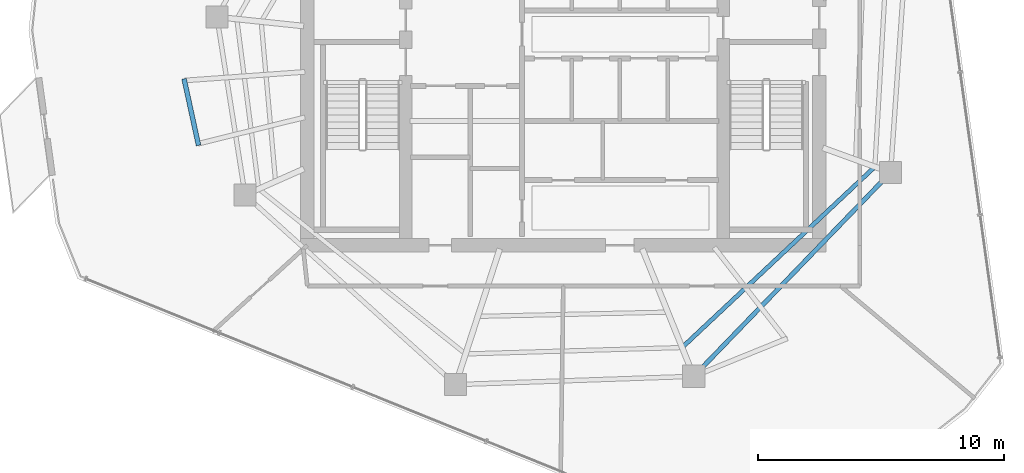
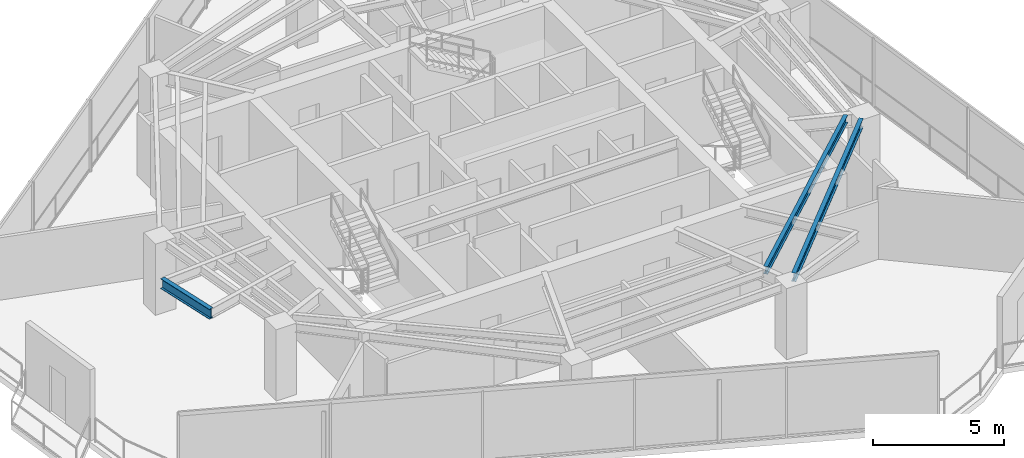
# One storey, part 5 of 19: 3 beams.
"""IFC4 building model written with IfcOpenShell, lengths in metres."""

from ifc_helpers import new_model, si_unit, direction, frame, origin, origin_2d, place, context, subcontext, project, spatial, i_section, extrude, material, material_profile, profile_set, type_object, element, save


model = new_model("IFC4")

# Units and contexts
model_context = context("Model", 3, precision=1e-05, world=origin(), true_north=direction((0.0, 1.0)))
body_context = subcontext(model_context, "Body", "Model", "MODEL_VIEW")
ifc_project = project(units=[si_unit("LENGTHUNIT", "METRE"), si_unit("AREAUNIT", "SQUARE_METRE"), si_unit("VOLUMEUNIT", "CUBIC_METRE"), si_unit("PLANEANGLEUNIT", "RADIAN"), si_unit("MASSUNIT", "GRAM", prefix="KILO")], contexts=[model_context])

# Site, building, storey
site_placement = place(None, origin())
site = spatial("IfcSite", under=ifc_project, at=site_placement, CompositionType="ELEMENT")
building_placement = place(site_placement, origin())
building = spatial("IfcBuilding", under=site, at=building_placement, Name="Qarnah Convention Tower", CompositionType="ELEMENT")
storey_placement = place(building_placement, frame((0.0, 0.0, 209.39990234375)))
storey = spatial("IfcBuildingStorey", under=building, at=storey_placement, Name="L56", CompositionType="ELEMENT", Elevation=209.39990234375)

# Beams
ifc_material = material(Name="Structural steel S355JR", Category="steel")
ifc_material_profile_1 = material_profile(ifc_material, i_section(OverallWidth=0.19189453125, OverallDepth=0.464111328125, WebThickness=0.010986328125, FlangeThickness=0.01806640625, at=origin_2d()), Name="W460X89")
ifc_profile_set_1 = profile_set([ifc_material_profile_1], Name="Structural steel S355JR")
beam_type_1 = type_object("IfcBeamType", Name="BM-CANT-W460A", PredefinedType="BEAM", material=ifc_profile_set_1)
beam_1_placement = place(storey_placement, frame((22.382080078125, 22.660888671875, 3.088134765625), z_axis=(-0.212191546233, 0.977228094002, 0.0), x_axis=(-0.977228094002, -0.212191546233, 0.0)))
element("IfcBeam", 1, at=beam_1_placement, inside=storey, type_object=beam_type_1, Name="L56 spandrel BM-L56-CTIE-02", PredefinedType="SPANDREL", context=body_context, shape_type="SweptSolid", body=[
    extrude(i_section(OverallWidth=0.19189453125, OverallDepth=0.464111328125, WebThickness=0.010986328125, FlangeThickness=0.01806640625, at=origin_2d()), origin(), (0.0, 0.0, 1.0), 2.76708984375),
])
ifc_material_profile_2 = material_profile(ifc_material, i_section(OverallWidth=0.172119140625, OverallDepth=0.35595703125, WebThickness=0.007080078125, FlangeThickness=0.011962890625, at=origin_2d()), Name="W360X51")
ifc_profile_set_2 = profile_set([ifc_material_profile_2], Name="Structural steel S355JR")
beam_type_2 = type_object("IfcBeamType", Name="BM-JST-W360", PredefinedType="JOIST", material=ifc_profile_set_2)
beam_2_placement = place(storey_placement, frame((42.093994140625, 14.511962890625, 3.14208984375), z_axis=(0.729569665488, 0.683906501796, 0.0), x_axis=(-0.683906501796, 0.729569665488, 0.0)))
element("IfcBeam", 2, at=beam_2_placement, inside=storey, type_object=beam_type_2, Name="L56 joist BM-L56-SJST-08", PredefinedType="JOIST", context=body_context, shape_type="SweptSolid", body=[
    extrude(i_section(OverallWidth=0.172119140625, OverallDepth=0.35595703125, WebThickness=0.007080078125, FlangeThickness=0.011962890625, at=origin_2d()), origin(), (0.0, 0.0, 1.0), 10.55419921875),
])
ifc_material_profile_3 = material_profile(ifc_material, i_section(OverallWidth=0.179931640625, OverallDepth=0.39990234375, WebThickness=0.009033203125, FlangeThickness=0.013916015625, at=origin_2d()), Name="IPE400")
ifc_profile_set_3 = profile_set([ifc_material_profile_3], Name="Structural steel S355JR")
beam_type_3 = type_object("IfcBeamType", Name="BM-SPN-IPE400", PredefinedType="SPANDREL", material=ifc_profile_set_3)
beam_3_placement = place(storey_placement, frame((42.806884765625, 13.596923828125, 3.1201171875), z_axis=(0.694676898282, 0.719321907767, 0.0), x_axis=(-0.719321907767, 0.694676898282, 0.0)))
element("IfcBeam", 3, at=beam_3_placement, inside=storey, type_object=beam_type_3, Name="L56 spandrel BM-L56-SPN-08", PredefinedType="SPANDREL", context=body_context, shape_type="SweptSolid", body=[
    extrude(i_section(OverallWidth=0.179931640625, OverallDepth=0.39990234375, WebThickness=0.009033203125, FlangeThickness=0.013916015625, at=origin_2d()), origin(), (0.0, 0.0, 1.0), 10.62939453125),
])

save(model, "model.ifc")
